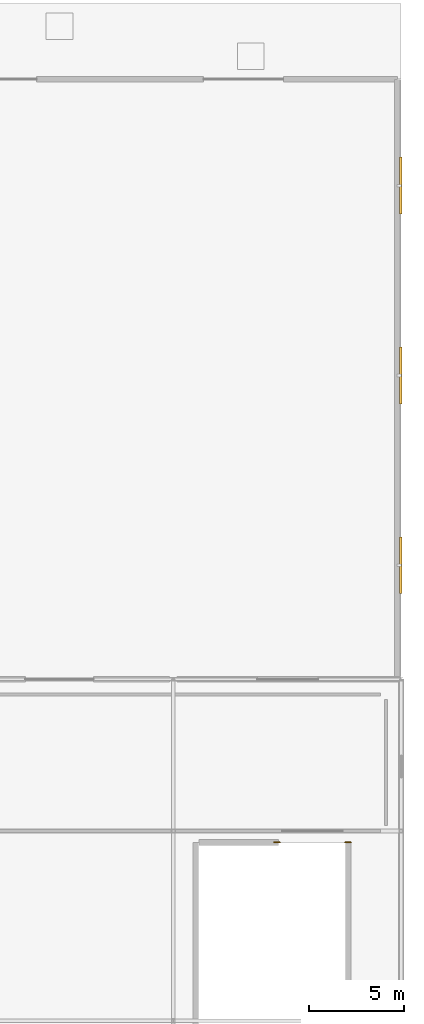
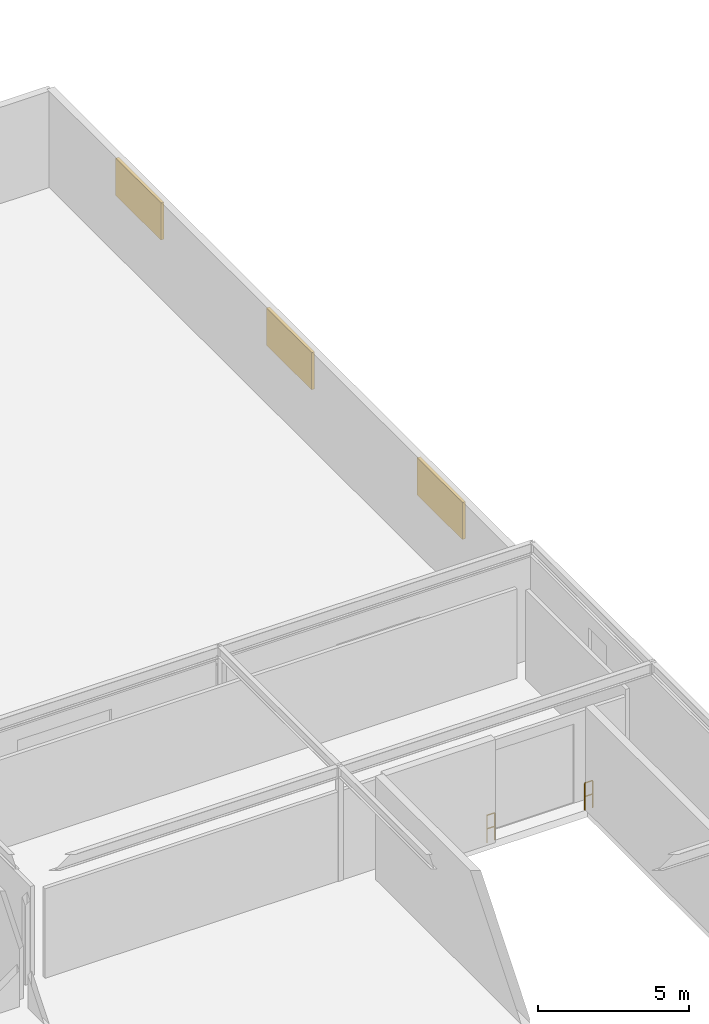
# One storey, part 115 of 119: 3 shading devices, 2 railings.
"""IFC4 building model written with IfcOpenShell, lengths in metres."""

from ifc_helpers import new_model, si_unit, derived_unit, direction, frame, origin, origin_2d_with_axis, place, context, subcontext, project, spatial, rectangle, circle, extrude, material, layer, layer_set, type_object, element, save


model = new_model("IFC4")

# Units and contexts
model_context = context("Model", 3, precision=1e-05, world=origin(), true_north=direction((0.0, 1.0)))
body_context = subcontext(model_context, "Body", "Model", "MODEL_VIEW")
ifc_project = project(units=[si_unit("LENGTHUNIT", "METRE"), si_unit("AREAUNIT", "SQUARE_METRE"), si_unit("VOLUMEUNIT", "CUBIC_METRE"), si_unit("PLANEANGLEUNIT", "RADIAN"), si_unit("MASSUNIT", "GRAM", prefix="KILO"), derived_unit("THERMALTRANSMITTANCEUNIT", [(si_unit("POWERUNIT", "WATT"), 1), (si_unit("LENGTHUNIT", "METRE"), -2), (si_unit("THERMODYNAMICTEMPERATUREUNIT", "KELVIN"), -1)])], contexts=[model_context])

# Site, building, storey
site_placement = place(None, origin())
site = spatial("IfcSite", under=ifc_project, at=site_placement, CompositionType="ELEMENT")
building_placement = place(site_placement, origin())
building = spatial("IfcBuilding", under=site, at=building_placement, Name="Cinnabar Yard Market Hall", CompositionType="ELEMENT")
storey_placement = place(building_placement, origin())
storey = spatial("IfcBuildingStorey", under=building, at=storey_placement, Name="L00", CompositionType="ELEMENT", Elevation=0.0)

# Railings
ifc_material_1 = material(Name="Galvanised steel Grade 300 (300 MPa) guardrail", Category="steel")
ifc_layer = layer(ifc_material_1, 0.06005859375)
ifc_layer_set = layer_set([ifc_layer], Name="Galvanised steel Grade 300 (300 MPa) guardrail")
railing_type = type_object("IfcRailingType", Name="RL-G03", PredefinedType="GUARDRAIL", material=ifc_layer_set)
for number, where, name in (
    (1, (207.300048828125, 33.39990234375, 0.0), "Ramp Threshold Guard W 1"),
    (2, (211.050048828125, 33.39990234375, 0.0), "Ramp Threshold Guard E 1"),
):
    element("IfcRailing", number, at=place(storey_placement, frame(where)), inside=storey, type_object=railing_type, Name=name, PredefinedType="GUARDRAIL", context=body_context, shape_type="SweptSolid", body=[
        extrude(circle(Radius=0.02392578125, at=origin_2d_with_axis()), frame((0.0, 0.0, 1.09619140625), z_axis=(1.0, 0.0, 0.0), x_axis=(0.0, 1.0, 0.0)), (0.0, 0.0, 1.0), 0.300048828125),
        extrude(circle(Radius=0.02392578125, at=origin_2d_with_axis()), frame((0.0, 0.0, 0.550048828125), z_axis=(1.0, 0.0, 0.0), x_axis=(0.0, 1.0, 0.0)), (0.0, 0.0, 1.0), 0.300048828125),
        extrude(circle(Radius=0.02099609375, at=origin_2d_with_axis()), origin(), (0.0, 0.0, 1.0), 1.072021484375),
        extrude(circle(Radius=0.02099609375, at=origin_2d_with_axis()), frame((0.300048828125, 0.0, 0.0)), (0.0, 0.0, 1.0), 1.072021484375),
    ])

# Shading devices
ifc_material_2 = material(Name="Acoustic powder-coated aluminium louvre", Category="aluminium")
shading_device_type = type_object("IfcShadingDeviceType", Name="SHD-LVR1", PredefinedType="AWNING", material=ifc_material_2)
for number, where, z_axis, x_axis, name in (
    (3, (213.97998046875, 48.0, 2.0), (0.0, 0.0, 1.0), (1.0, 0.0, 0.0), "Acoustic Screen Louvre 1"),
    (4, (213.97998046875, 58.0, 2.0), (0.0, 0.0, 1.0), (1.0, 0.0, 0.0), "Acoustic Screen Louvre 2"),
    (5, (213.97998046875, 68.0, 2.0), (0.0, 0.0, 1.0), (1.0, 0.0, 0.0), "Acoustic Screen Louvre 3"),
):
    element("IfcShadingDevice", number, at=place(storey_placement, frame(where, z_axis=z_axis, x_axis=x_axis)), inside=storey, type_object=shading_device_type, Name=name, PredefinedType="AWNING", context=body_context, shape_type="SweptSolid", body=[
        extrude(rectangle(XDim=0.1201171875, YDim=3.0, at=origin_2d_with_axis()), origin(), (0.0, 0.0, 1.0), 1.5),
    ])

save(model, "model.ifc")
